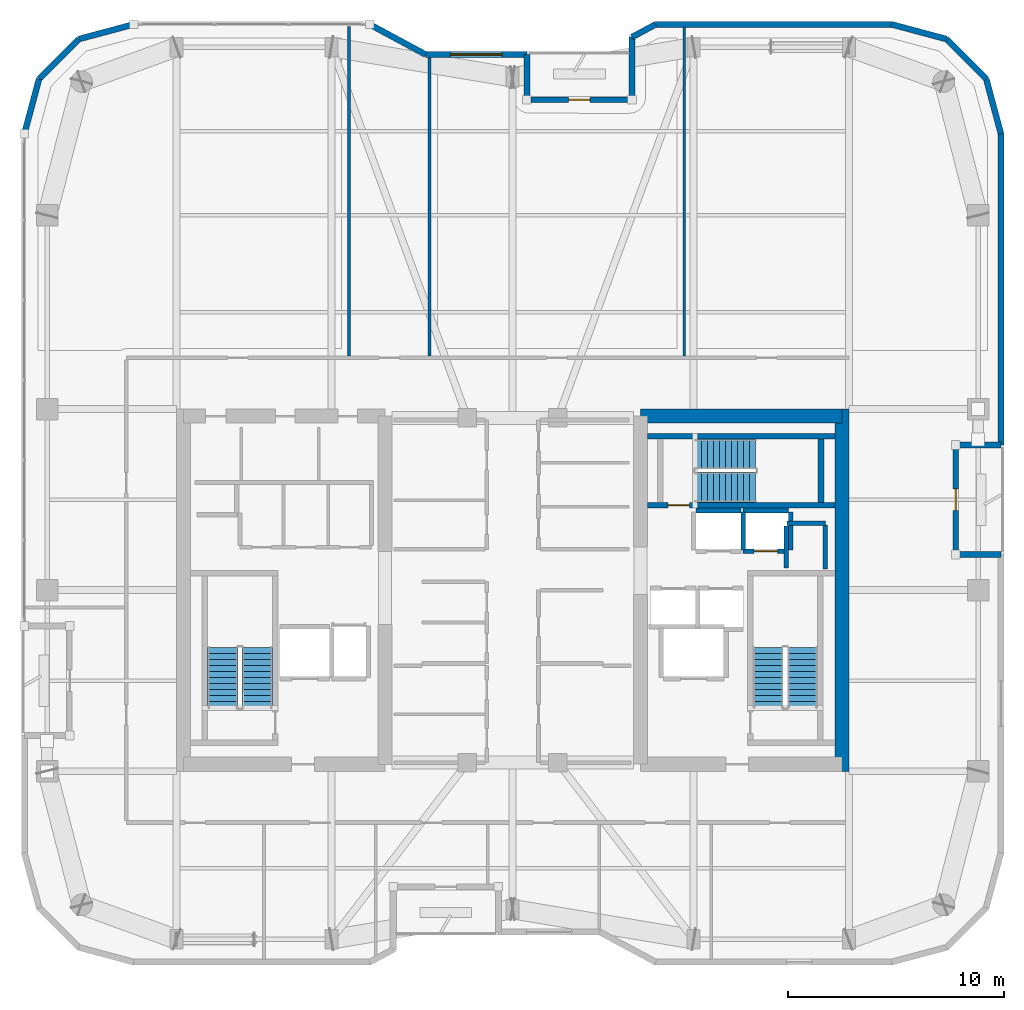
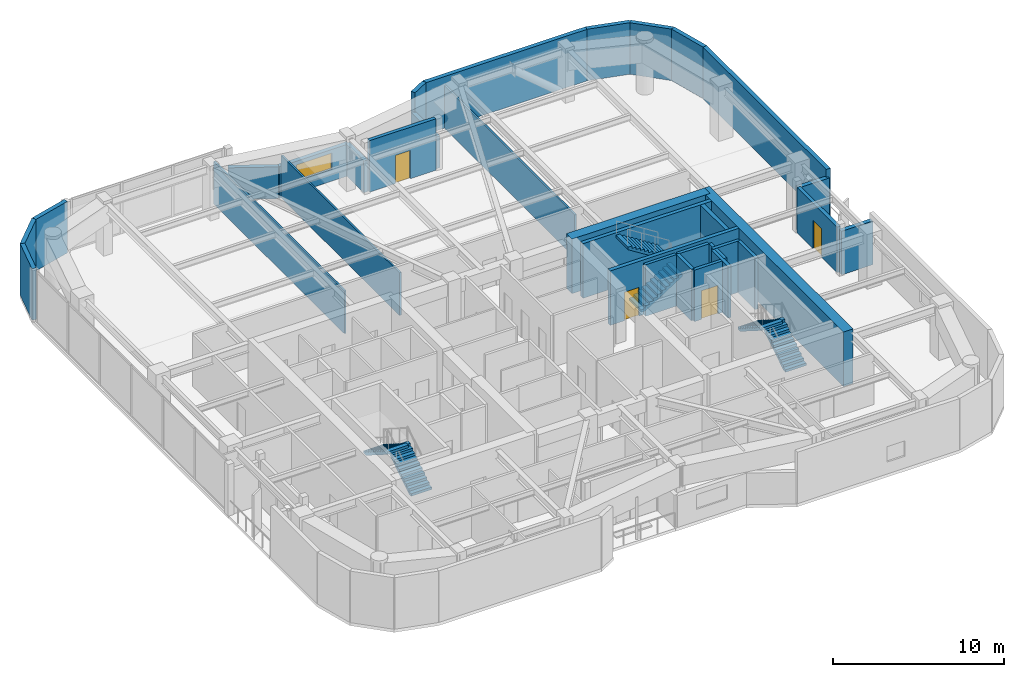
# One storey, part 18 of 21: 33 walls, 6 stair flights, 4 doors, 1 window, 5 openings, 3 elements without a shape of their own.
"""IFC4 building model written with IfcOpenShell, lengths in metres."""

from ifc_helpers import new_model, si_unit, direction, frame, frame_2d, origin, place, context, subcontext, project, spatial, polyline, rectangle, outline, extrude, material, layer, layer_set, type_object, element, fill, aggregate, save


model = new_model("IFC4")

# Units and contexts
model_context = context("Model", 3, precision=1e-05, world=origin(), true_north=direction((0.0, 1.0)))
body_context = subcontext(model_context, "Body", "Model", "MODEL_VIEW")
ifc_project = project(units=[si_unit("LENGTHUNIT", "METRE"), si_unit("AREAUNIT", "SQUARE_METRE"), si_unit("VOLUMEUNIT", "CUBIC_METRE"), si_unit("PLANEANGLEUNIT", "RADIAN"), si_unit("MASSUNIT", "GRAM", prefix="KILO")], contexts=[model_context])

# Site, building, storey
site_placement = place(None, origin())
site = spatial("IfcSite", under=ifc_project, at=site_placement, CompositionType="ELEMENT")
building_placement = place(site_placement, origin())
building = spatial("IfcBuilding", under=site, at=building_placement, Name="Kiyonajd Concourse Tower", CompositionType="ELEMENT")
storey_placement = place(building_placement, frame((0.0, 0.0, 247.199951171875)))
storey = spatial("IfcBuildingStorey", under=building, at=storey_placement, Name="L62", CompositionType="ELEMENT", Elevation=247.199951171875)

# Walls
ifc_material_1 = material(Name="Concrete C60/75", Category="concrete")
ifc_layer_1 = layer(ifc_material_1, 0.64990234375)
ifc_layer_set_1 = layer_set([ifc_layer_1], Name="Concrete C60/75")
wall_type_1 = type_object("IfcWallType", Name="WL-CORE-650", PredefinedType="SHEAR", material=ifc_layer_set_1)
wall_1_placement = place(storey_placement, frame((63.27490234375, 27.60009765625, 0.0), z_axis=(0.0, 0.0, 1.0), x_axis=(0.0, 1.0, 0.0)))
element("IfcWall", 1, at=wall_1_placement, inside=storey, type_object=wall_type_1, Name="L62 East Core Outer Shear Wall", PredefinedType="SHEAR", context=body_context, shape_type="SweptSolid", body=[
    extrude(rectangle(XDim=16.7998046875, YDim=0.64990234375, at=frame_2d((8.39990234375, 0.0))), origin(), (0.0, 0.0, 1.0), 3.900146484375),
])
wall_2_placement = place(storey_placement, frame((53.925048828125, 44.074951171875, 0.0), z_axis=(0.0, 0.0, 1.0), x_axis=(1.0, 0.0, 0.0)))
element("IfcWall", 2, at=wall_2_placement, inside=storey, type_object=wall_type_1, Name="L62 East Core North Shear Wall", PredefinedType="SHEAR", context=body_context, shape_type="SweptSolid", body=[
    extrude(rectangle(XDim=9.349853515625, YDim=0.64990234375, at=frame_2d((4.6748046875, 0.0))), origin(), (0.0, 0.0, 1.0), 3.900146484375),
])
ifc_material_2 = material(Name="Precast concrete C50/60", Category="concrete")
ifc_layer_2 = layer(ifc_material_2, 0.280029296875)
ifc_layer_set_2 = layer_set([ifc_layer_2], Name="Precast concrete C50/60")
wall_type_2 = type_object("IfcWallType", Name="WL-EXT-280", PredefinedType="SOLIDWALL", material=ifc_layer_set_2)
wall_3_placement = place(storey_placement, frame((25.340087890625, 57.181640625, 0.0), z_axis=(0.0, 0.0, 1.0), x_axis=(0.2588904131, 0.965906700466, 0.0)))
element("IfcWall", 3, at=wall_3_placement, inside=storey, type_object=wall_type_2, Name="L62 Exterior Concrete Frame Wall 06", PredefinedType="SOLIDWALL", context=body_context, shape_type="SweptSolid", body=[
    extrude(rectangle(XDim=2.6357421875, YDim=0.280029296875, at=frame_2d((1.31787109375, 0.0))), origin(), (0.0, 0.0, 1.0), 3.679931640625),
])
wall_4_placement = place(storey_placement, frame((26.0224609375, 59.7275390625, 0.0), z_axis=(0.0, 0.0, 1.0), x_axis=(0.707153437963, 0.707060121331, 0.0)))
element("IfcWall", 4, at=wall_4_placement, inside=storey, type_object=wall_type_2, Name="L62 Exterior Concrete Frame Wall 07", PredefinedType="SOLIDWALL", context=body_context, shape_type="SweptSolid", body=[
    extrude(rectangle(XDim=2.6162109375, YDim=0.280029296875, at=frame_2d((1.30810546875, 0.0))), origin(), (0.0, 0.0, 1.0), 3.679931640625),
])
wall_5_placement = place(storey_placement, frame((27.87255859375, 61.577392578125, 0.0), z_axis=(0.0, 0.0, 1.0), x_axis=(0.965883534663, 0.258976828051, 0.0)))
element("IfcWall", 5, at=wall_5_placement, inside=storey, type_object=wall_type_2, Name="L62 Exterior Concrete Frame Wall 08", PredefinedType="SOLIDWALL", context=body_context, shape_type="SweptSolid", body=[
    extrude(rectangle(XDim=2.6357421875, YDim=0.280029296875, at=frame_2d((1.31787109375, 0.0))), origin(), (0.0, 0.0, 1.0), 3.679931640625),
])
wall_6_placement = place(storey_placement, frame((41.36474609375, 62.260009765625, 0.0), z_axis=(0.0, 0.0, 1.0), x_axis=(0.880473754814, -0.474094892488, 0.0)))
element("IfcWall", 6, at=wall_6_placement, inside=storey, type_object=wall_type_2, Name="L62 Exterior Concrete Frame Wall 10", PredefinedType="SOLIDWALL", context=body_context, shape_type="SweptSolid", body=[
    extrude(rectangle(XDim=2.952880859375, YDim=0.280029296875, at=frame_2d((1.4765625, 0.0))), origin(), (0.0, 0.0, 1.0), 2.26513671875),
])

# Wall, opening, window
wall_7_placement = place(storey_placement, frame((43.964599609375, 60.860107421875, 0.0), z_axis=(0.0, 0.0, 1.0), x_axis=(1.0, 0.0, 0.0)))
wall_7 = element("IfcWall", 7, at=wall_7_placement, inside=storey, type_object=wall_type_2, Name="L62 Exterior Concrete Frame Wall 11", PredefinedType="SOLIDWALL", context=body_context, shape_type="SweptSolid", body=[
    extrude(rectangle(XDim=4.6953125, YDim=0.280029296875, at=frame_2d((2.34765625, 0.0))), origin(), (0.0, 0.0, 1.0), 2.26513671875),
])
opening_1_placement = place(wall_7_placement, frame((1.14794921875, 0.0, 0.85009765625)))
opening_1 = element("IfcOpeningElement", 8, at=opening_1_placement, cuts=wall_7, Name="Opening WN4", PredefinedType="OPENING", context=body_context, shape_type="SweptSolid", body=[
    extrude(rectangle(XDim=2.39990234375, YDim=1.14990234375, at=frame_2d((1.199951171875, 0.574951171875))), frame((0.0, 0.14990234375, 0.0), z_axis=(0.0, -1.0, 0.0), x_axis=(1.0, 0.0, 0.0)), (0.0, 0.0, 1.0), 0.300048828125),
])
ifc_material_3 = material(Name="Double Low-E Insulated Glass", Category="glass")
window_type = type_object("IfcWindowType", Name="WN-VIS-2400x1150", PartitioningType="SINGLE_PANEL", PredefinedType="WINDOW", material=ifc_material_3)
window_placement = place(opening_1_placement, origin())
window = element("IfcWindow", 9, at=window_placement, inside=storey, type_object=window_type, Name="L62 Modular Facade Vision Window 11", OverallHeight=1.14990234375, OverallWidth=2.39990234375, PartitioningType="SINGLE_PANEL", PredefinedType="WINDOW", context=body_context, shape_type="SweptSolid", body=[
    extrude(rectangle(XDim=2.39990234375, YDim=1.14990234375, at=frame_2d((1.199951171875, 0.574951171875))), frame((0.0, 0.030029296875, 0.0), z_axis=(0.0, -1.0, 0.0), x_axis=(1.0, 0.0, 0.0)), (0.0, 0.0, 1.0), 0.06005859375),
])
fill(opening_1, window)

# Walls
wall_8_placement = place(storey_placement, frame((48.659912109375, 60.860107421875, 0.0), z_axis=(0.0, 0.0, 1.0), x_axis=(0.0, -1.0, 0.0)))
element("IfcWall", 10, at=wall_8_placement, inside=storey, type_object=wall_type_2, Name="L62 Exterior Concrete Frame Wall 12", PredefinedType="SOLIDWALL", context=body_context, shape_type="SweptSolid", body=[
    extrude(rectangle(XDim=2.10009765625, YDim=0.280029296875, at=frame_2d((1.050048828125, 0.0))), origin(), (0.0, 0.0, 1.0), 2.26513671875),
])
wall_9_placement = place(storey_placement, frame((53.5400390625, 58.760009765625, 0.0), z_axis=(0.0, 0.0, 1.0), x_axis=(0.0, 1.0, 0.0)))
element("IfcWall", 11, at=wall_9_placement, inside=storey, type_object=wall_type_2, Name="L62 Exterior Concrete Frame Wall 14", PredefinedType="SOLIDWALL", context=body_context, shape_type="SweptSolid", body=[
    extrude(rectangle(XDim=2.910400390625, YDim=0.280029296875, at=frame_2d((1.455078125, 0.0))), origin(), (0.0, 0.0, 1.0), 2.26513671875),
])
wall_10_placement = place(storey_placement, frame((53.5400390625, 61.67041015625, 0.0), z_axis=(0.0, 0.0, 1.0), x_axis=(0.880515214249, 0.474017887296, 0.0)))
element("IfcWall", 12, at=wall_10_placement, inside=storey, type_object=wall_type_2, Name="L62 Exterior Concrete Frame Wall 15", PredefinedType="SOLIDWALL", context=body_context, shape_type="SweptSolid", body=[
    extrude(rectangle(XDim=1.243896484375, YDim=0.280029296875, at=frame_2d((0.6220703125, 0.0))), origin(), (0.0, 0.0, 1.0), 3.679931640625),
])
wall_11_placement = place(storey_placement, frame((54.63525390625, 62.260009765625, 0.0), z_axis=(0.0, 0.0, 1.0), x_axis=(1.0, 0.0, 0.0)))
element("IfcWall", 13, at=wall_11_placement, inside=storey, type_object=wall_type_2, Name="L62 Exterior Concrete Frame Wall 16", PredefinedType="SOLIDWALL", context=body_context, shape_type="SweptSolid", body=[
    extrude(rectangle(XDim=10.9462890625, YDim=0.280029296875, at=frame_2d((5.47314453125, 0.0))), origin(), (0.0, 0.0, 1.0), 3.679931640625),
])
wall_12_placement = place(storey_placement, frame((65.58154296875, 62.260009765625, 0.0), z_axis=(0.0, 0.0, 1.0), x_axis=(0.965883534663, -0.258976828051, 0.0)))
element("IfcWall", 14, at=wall_12_placement, inside=storey, type_object=wall_type_2, Name="L62 Exterior Concrete Frame Wall 17", PredefinedType="SOLIDWALL", context=body_context, shape_type="SweptSolid", body=[
    extrude(rectangle(XDim=2.6357421875, YDim=0.280029296875, at=frame_2d((1.31787109375, 0.0))), origin(), (0.0, 0.0, 1.0), 3.679931640625),
])
wall_13_placement = place(storey_placement, frame((68.12744140625, 61.577392578125, 0.0), z_axis=(0.0, 0.0, 1.0), x_axis=(0.707153437963, -0.707060121331, 0.0)))
element("IfcWall", 15, at=wall_13_placement, inside=storey, type_object=wall_type_2, Name="L62 Exterior Concrete Frame Wall 18", PredefinedType="SOLIDWALL", context=body_context, shape_type="SweptSolid", body=[
    extrude(rectangle(XDim=2.6162109375, YDim=0.280029296875, at=frame_2d((1.30810546875, 0.0))), origin(), (0.0, 0.0, 1.0), 3.679931640625),
])
wall_14_placement = place(storey_placement, frame((69.9775390625, 59.7275390625, 0.0), z_axis=(0.0, 0.0, 1.0), x_axis=(0.2588904131, -0.965906700466, 0.0)))
element("IfcWall", 16, at=wall_14_placement, inside=storey, type_object=wall_type_2, Name="L62 Exterior Concrete Frame Wall 19", PredefinedType="SOLIDWALL", context=body_context, shape_type="SweptSolid", body=[
    extrude(rectangle(XDim=2.6357421875, YDim=0.280029296875, at=frame_2d((1.31787109375, 0.0))), origin(), (0.0, 0.0, 1.0), 3.679931640625),
])
wall_15_placement = place(storey_placement, frame((70.659912109375, 57.181640625, 0.0), z_axis=(0.0, 0.0, 1.0), x_axis=(0.0, -1.0, 0.0)))
element("IfcWall", 17, at=wall_15_placement, inside=storey, type_object=wall_type_2, Name="L62 Exterior Concrete Frame Wall 20", PredefinedType="SOLIDWALL", context=body_context, shape_type="SweptSolid", body=[
    extrude(rectangle(XDim=14.441650390625, YDim=0.280029296875, at=frame_2d((7.220703125, 0.0))), origin(), (0.0, 0.0, 1.0), 3.679931640625),
])
for number, where, z_axis, x_axis, name in (
    (18, (70.659912109375, 42.739990234375, 0.0), (0.0, 0.0, 1.0), (-1.0, 0.0, 0.0), "L62 Exterior Concrete Frame Wall 21"),
    (19, (68.56005859375, 37.659912109375, 0.0), (0.0, 0.0, 1.0), (1.0, 0.0, 0.0), "L62 Exterior Concrete Frame Wall 23"),
):
    element("IfcWall", number, at=place(storey_placement, frame(where, z_axis=z_axis, x_axis=x_axis)), inside=storey, type_object=wall_type_2, Name=name, PredefinedType="SOLIDWALL", context=body_context, shape_type="SweptSolid", body=[
        extrude(rectangle(XDim=2.099853515625, YDim=0.280029296875, at=frame_2d((1.0498046875, 0.0))), origin(), (0.0, 0.0, 1.0), 3.115966796875),
    ])

# Wall, opening, door
ifc_layer_3 = layer(ifc_material_2, 0.239990234375)
ifc_layer_set_3 = layer_set([ifc_layer_3], Name="Precast concrete C50/60")
wall_type_3 = type_object("IfcWallType", Name="WL-LOG-240", PredefinedType="SOLIDWALL", material=ifc_layer_set_3)
wall_16_placement = place(storey_placement, frame((48.85498046875, 58.760009765625, 0.0), z_axis=(0.0, 0.0, 1.0), x_axis=(1.0, 0.0, 0.0)))
wall_16 = element("IfcWall", 20, at=wall_16_placement, inside=storey, type_object=wall_type_3, Name="L62 Recessed Loggia Thermal Wall LOG-N", PredefinedType="SOLIDWALL", context=body_context, shape_type="SweptSolid", body=[
    extrude(rectangle(XDim=4.489990234375, YDim=0.239990234375, at=frame_2d((2.2451171875, 0.0))), origin(), (0.0, 0.0, 1.0), 3.679931640625),
])
opening_2_placement = place(wall_16_placement, frame((1.7451171875, 0.0, 0.0)))
opening_2 = element("IfcOpeningElement", 21, at=opening_2_placement, cuts=wall_16, Name="Opening DL1", PredefinedType="OPENING", context=body_context, shape_type="SweptSolid", body=[
    extrude(rectangle(XDim=1.0, YDim=2.02001953125, at=frame_2d((0.5, 1.010009765625))), frame((0.0, 0.1298828125, 0.0), z_axis=(0.0, -1.0, 0.0), x_axis=(1.0, 0.0, 0.0)), (0.0, 0.0, 1.0), 0.260009765625),
])
ifc_material_4 = material(Name="Thermally Broken Anodised Aluminium", Category="aluminium")
door_type_1 = type_object("IfcDoorType", Name="DR-LOG-1000", OperationType="NOTDEFINED", PredefinedType="DOOR", material=ifc_material_4)
door_1_placement = place(opening_2_placement, origin())
door_1 = element("IfcDoor", 22, at=door_1_placement, inside=storey, type_object=door_type_1, Name="L62 Engawa Loggia Access Door LOG-N", OperationType="SINGLE_SWING_RIGHT", OverallHeight=2.02001953125, OverallWidth=1.0, PredefinedType="DOOR", context=body_context, shape_type="SweptSolid", body=[
    extrude(rectangle(XDim=1.0, YDim=2.02001953125, at=frame_2d((0.5, 1.010009765625))), frame((0.0, 0.02490234375, 0.0), z_axis=(0.0, -1.0, 0.0), x_axis=(1.0, 0.0, 0.0)), (0.0, 0.0, 1.0), 0.050048828125),
])
fill(opening_2, door_1)

wall_17_placement = place(storey_placement, frame((68.56005859375, 42.544921875, 0.0), z_axis=(0.0, 0.0, 1.0), x_axis=(0.0, -1.0, 0.0)))
wall_17 = element("IfcWall", 23, at=wall_17_placement, inside=storey, type_object=wall_type_3, Name="L62 Recessed Loggia Thermal Wall LOG-E", PredefinedType="SOLIDWALL", context=body_context, shape_type="SweptSolid", body=[
    extrude(rectangle(XDim=4.68994140625, YDim=0.239990234375, at=frame_2d((2.344970703125, 0.0))), origin(), (0.0, 0.0, 1.0), 3.248046875),
])
opening_3_placement = place(wall_17_placement, frame((1.844970703125, 0.0, 0.0)))
opening_3 = element("IfcOpeningElement", 24, at=opening_3_placement, cuts=wall_17, Name="Opening DL1", PredefinedType="OPENING", context=body_context, shape_type="SweptSolid", body=[
    extrude(rectangle(XDim=1.0, YDim=2.02001953125, at=frame_2d((0.5, 1.010009765625))), frame((0.0, 0.1298828125, 0.0), z_axis=(0.0, -1.0, 0.0), x_axis=(1.0, 0.0, 0.0)), (0.0, 0.0, 1.0), 0.260009765625),
])
door_2_placement = place(opening_3_placement, origin())
door_2 = element("IfcDoor", 25, at=door_2_placement, inside=storey, type_object=door_type_1, Name="L62 Engawa Loggia Access Door LOG-E", OperationType="SINGLE_SWING_LEFT", OverallHeight=2.02001953125, OverallWidth=1.0, PredefinedType="DOOR", context=body_context, shape_type="SweptSolid", body=[
    extrude(rectangle(XDim=1.0, YDim=2.02001953125, at=frame_2d((0.5, 1.010009765625))), frame((0.0, 0.02490234375, 0.0), z_axis=(0.0, -1.0, 0.0), x_axis=(1.0, 0.0, 0.0)), (0.0, 0.0, 1.0), 0.050048828125),
])
fill(opening_3, door_2)

# Walls
ifc_material_5 = material(Name="Gypsum Board on Cold-Formed Steel Stud", Category="steel")
ifc_layer_4 = layer(ifc_material_5, 0.125)
ifc_layer_set_4 = layer_set([ifc_layer_4], Name="Gypsum Board on Cold-Formed Steel Stud")
wall_type_4 = type_object("IfcWallType", Name="WL-PART-125", PredefinedType="PARTITIONING", material=ifc_layer_set_4)
wall_18_placement = place(storey_placement, frame((40.409912109375, 46.866943359375, 0.0), z_axis=(0.0, 0.0, 1.0), x_axis=(0.0, 1.0, 0.0)))
element("IfcWall", 26, at=wall_18_placement, inside=storey, type_object=wall_type_4, Name="L62 Interior Partition Wall", PredefinedType="PARTITIONING", context=body_context, shape_type="SweptSolid", body=[
    extrude(rectangle(XDim=15.298095703125, YDim=0.125, at=frame_2d((7.64892578125, 0.0))), origin(), (0.0, 0.0, 1.0), 3.04296875),
])
wall_19_placement = place(storey_placement, frame((44.139892578125, 46.866943359375, 0.0), z_axis=(0.0, 0.0, 1.0), x_axis=(0.0, 1.0, 0.0)))
element("IfcWall", 27, at=wall_19_placement, inside=storey, type_object=wall_type_4, Name="L62 Interior Partition Wall", PredefinedType="PARTITIONING", context=body_context, shape_type="SweptSolid", body=[
    extrude(rectangle(XDim=13.858154296875, YDim=0.125, at=frame_2d((6.92919921875, 0.0))), origin(), (0.0, 0.0, 1.0), 3.04296875),
])
wall_20_placement = place(storey_placement, frame((55.969970703125, 46.866943359375, 0.0), z_axis=(0.0, 0.0, 1.0), x_axis=(0.0, 1.0, 0.0)))
element("IfcWall", 28, at=wall_20_placement, inside=storey, type_object=wall_type_4, Name="L62 Interior Partition Wall", PredefinedType="PARTITIONING", context=body_context, shape_type="SweptSolid", body=[
    extrude(rectangle(XDim=15.258056640625, YDim=0.125, at=frame_2d((7.62890625, 0.0))), origin(), (0.0, 0.0, 1.0), 3.04296875),
])
ifc_layer_5 = layer(ifc_material_5, 0.2099609375)
ifc_layer_set_5 = layer_set([ifc_layer_5], Name="Gypsum Board on Cold-Formed Steel Stud")
wall_type_5 = type_object("IfcWallType", Name="WL-SHAFT-210", PredefinedType="PARTITIONING", material=ifc_layer_set_5)
wall_21_placement = place(storey_placement, frame((60.719970703125, 39.10009765625, 0.0), z_axis=(0.0, 0.0, 1.0), x_axis=(1.0, 0.0, 0.0)))
element("IfcWall", 29, at=wall_21_placement, inside=storey, type_object=wall_type_5, Name="L62 Shaft Enclosure Wall", PredefinedType="PARTITIONING", context=body_context, shape_type="SweptSolid", body=[
    extrude(rectangle(XDim=1.800048828125, YDim=0.2099609375, at=frame_2d((0.89990234375, 0.0))), origin(), (0.0, 0.0, 1.0), 3.679931640625),
])
wall_22_placement = place(storey_placement, frame((60.699951171875, 37.02001953125, 0.0), z_axis=(0.0, 0.0, 1.0), x_axis=(0.0, 1.0, 0.0)))
element("IfcWall", 30, at=wall_22_placement, inside=storey, type_object=wall_type_5, Name="L62 Shaft Enclosure Wall", PredefinedType="PARTITIONING", context=body_context, shape_type="SweptSolid", body=[
    extrude(rectangle(XDim=1.9599609375, YDim=0.2099609375, at=frame_2d((0.97998046875, 0.0))), origin(), (0.0, 0.0, 1.0), 3.679931640625),
])
wall_23_placement = place(storey_placement, frame((62.5, 36.97998046875, 0.0), z_axis=(0.0, 0.0, 1.0), x_axis=(0.0, 1.0, 0.0)))
element("IfcWall", 31, at=wall_23_placement, inside=storey, type_object=wall_type_5, Name="L62 Shaft Enclosure Wall", PredefinedType="PARTITIONING", context=body_context, shape_type="SweptSolid", body=[
    extrude(rectangle(XDim=2.0400390625, YDim=0.2099609375, at=frame_2d((1.02001953125, 0.0))), origin(), (0.0, 0.0, 1.0), 3.679931640625),
])
wall_24_placement = place(storey_placement, frame((56.5, 39.699951171875, 0.0), z_axis=(0.0, 0.0, 1.0), x_axis=(1.0, 0.0, 0.0)))
element("IfcWall", 32, at=wall_24_placement, inside=storey, type_object=wall_type_5, Name="L62 Shaft Enclosure Wall", PredefinedType="PARTITIONING", context=body_context, shape_type="SweptSolid", body=[
    extrude(rectangle(XDim=2.10009765625, YDim=0.2099609375, at=frame_2d((1.050048828125, 0.0))), origin(), (0.0, 0.0, 1.0), 3.679931640625),
])
wall_25_placement = place(storey_placement, frame((58.699951171875, 37.860107421875, 0.0), z_axis=(0.0, 0.0, 1.0), x_axis=(0.0, 1.0, 0.0)))
element("IfcWall", 33, at=wall_25_placement, inside=storey, type_object=wall_type_5, Name="L62 Shaft Enclosure Wall", PredefinedType="PARTITIONING", context=body_context, shape_type="SweptSolid", body=[
    extrude(rectangle(XDim=1.77978515625, YDim=0.2099609375, at=frame_2d((0.889892578125, 0.0))), origin(), (0.0, 0.0, 1.0), 3.679931640625),
])

# Wall, opening, door
wall_26_placement = place(storey_placement, frame((58.699951171875, 37.800048828125, 0.0), z_axis=(0.0, 0.0, 1.0), x_axis=(1.0, 0.0, 0.0)))
wall_26 = element("IfcWall", 34, at=wall_26_placement, inside=storey, type_object=wall_type_5, Name="L62 Shaft Enclosure Wall", PredefinedType="PARTITIONING", context=body_context, shape_type="SweptSolid", body=[
    extrude(rectangle(XDim=2.10009765625, YDim=0.2099609375, at=frame_2d((1.050048828125, 0.0))), origin(), (0.0, 0.0, 1.0), 3.679931640625),
])
opening_4_placement = place(wall_26_placement, frame((0.5, 0.0, 0.0)))
opening_4 = element("IfcOpeningElement", 35, at=opening_4_placement, cuts=wall_26, Name="Opening LD1", PredefinedType="OPENING", context=body_context, shape_type="SweptSolid", body=[
    extrude(rectangle(XDim=1.10009765625, YDim=2.0400390625, at=frame_2d((0.550048828125, 1.02001953125))), frame((0.0, 0.114990234375, 0.0), z_axis=(0.0, -1.0, 0.0), x_axis=(1.0, 0.0, 0.0)), (0.0, 0.0, 1.0), 0.22998046875),
])
ifc_material_6 = material(Name="Brushed Stainless Steel Cab Assembly", Category="steel")
door_type_2 = type_object("IfcDoorType", Name="DR-LD-1100", OperationType="DOUBLE_DOOR_SLIDING", PredefinedType="DOOR", material=ifc_material_6)
door_3_placement = place(opening_4_placement, origin())
door_3 = element("IfcDoor", 36, at=door_3_placement, inside=storey, type_object=door_type_2, Name="L62 Lift PL-H4 Sliding Landing Door", OperationType="DOUBLE_DOOR_SLIDING", OverallHeight=2.0400390625, OverallWidth=1.10009765625, PredefinedType="DOOR", context=body_context, shape_type="SweptSolid", body=[
    extrude(rectangle(XDim=1.10009765625, YDim=2.0400390625, at=frame_2d((0.550048828125, 1.02001953125))), frame((0.0, 0.02490234375, 0.0), z_axis=(0.0, -1.0, 0.0), x_axis=(1.0, 0.0, 0.0)), (0.0, 0.0, 1.0), 0.050048828125),
])
fill(opening_4, door_3)

# Walls
wall_27_placement = place(storey_placement, frame((58.699951171875, 39.699951171875, 0.0), z_axis=(0.0, 0.0, 1.0), x_axis=(1.0, 0.0, 0.0)))
element("IfcWall", 37, at=wall_27_placement, inside=storey, type_object=wall_type_5, Name="L62 Shaft Enclosure Wall", PredefinedType="PARTITIONING", context=body_context, shape_type="SweptSolid", body=[
    extrude(rectangle(XDim=2.10009765625, YDim=0.2099609375, at=frame_2d((1.050048828125, 0.0))), origin(), (0.0, 0.0, 1.0), 3.679931640625),
])
wall_28_placement = place(storey_placement, frame((60.89990234375, 37.860107421875, 0.0), z_axis=(0.0, 0.0, 1.0), x_axis=(0.0, 1.0, 0.0)))
element("IfcWall", 38, at=wall_28_placement, inside=storey, type_object=wall_type_5, Name="L62 Shaft Enclosure Wall", PredefinedType="PARTITIONING", context=body_context, shape_type="SweptSolid", body=[
    extrude(rectangle(XDim=1.77978515625, YDim=0.2099609375, at=frame_2d((0.889892578125, 0.0))), origin(), (0.0, 0.0, 1.0), 3.679931640625),
])

# Wall, opening, door
ifc_material_7 = material(Name="Concrete C50/60", Category="concrete")
ifc_layer_6 = layer(ifc_material_7, 0.260009765625)
ifc_layer_set_6 = layer_set([ifc_layer_6], Name="Concrete C50/60")
wall_type_6 = type_object("IfcWallType", Name="WL-STAIR-260", PredefinedType="SHEAR", material=ifc_layer_set_6)
wall_29_placement = place(storey_placement, frame((54.25, 39.949951171875, 0.0), z_axis=(0.0, 0.0, 1.0), x_axis=(1.0, 0.0, 0.0)))
wall_29 = element("IfcWall", 39, at=wall_29_placement, inside=storey, type_object=wall_type_6, Name="L62 Stair ST3 Structural South Wall", PredefinedType="SHEAR", context=body_context, shape_type="SweptSolid", body=[
    extrude(rectangle(XDim=8.699951171875, YDim=0.260009765625, at=frame_2d((4.35009765625, 0.0))), origin(), (0.0, 0.0, 1.0), 3.900146484375),
])
opening_5_placement = place(wall_29_placement, frame((0.949951171875, 0.0, 0.0)))
opening_5 = element("IfcOpeningElement", 40, at=opening_5_placement, cuts=wall_29, Name="Opening DF1", PredefinedType="OPENING", context=body_context, shape_type="SweptSolid", body=[
    extrude(rectangle(XDim=1.0, YDim=2.0400390625, at=frame_2d((0.5, 1.02001953125))), frame((0.0, 0.139892578125, 0.0), z_axis=(0.0, -1.0, 0.0), x_axis=(1.0, 0.0, 0.0)), (0.0, 0.0, 1.0), 0.280029296875),
])
door_type_3 = type_object("IfcDoorType", Name="DR-FD90-1000", OperationType="NOTDEFINED", PredefinedType="DOOR", material=ifc_material_6)
door_4_placement = place(opening_5_placement, origin())
door_4 = element("IfcDoor", 41, at=door_4_placement, inside=storey, type_object=door_type_3, Name="L62 Stair ST3 Enclosure Door", OperationType="SINGLE_SWING_LEFT", OverallHeight=2.0400390625, OverallWidth=1.0, PredefinedType="DOOR", context=body_context, shape_type="SweptSolid", body=[
    extrude(rectangle(XDim=1.0, YDim=2.0400390625, at=frame_2d((0.5, 1.02001953125))), frame((0.0, 0.02490234375, 0.0), z_axis=(0.0, -1.0, 0.0), x_axis=(1.0, 0.0, 0.0)), (0.0, 0.0, 1.0), 0.050048828125),
])
fill(opening_5, door_4)

# Walls
wall_30_placement = place(storey_placement, frame((54.25, 43.14990234375, 0.0), z_axis=(0.0, 0.0, 1.0), x_axis=(1.0, 0.0, 0.0)))
element("IfcWall", 42, at=wall_30_placement, inside=storey, type_object=wall_type_6, Name="L62 Stair ST3 Structural North Wall", PredefinedType="SHEAR", context=body_context, shape_type="SweptSolid", body=[
    extrude(rectangle(XDim=8.699951171875, YDim=0.260009765625, at=frame_2d((4.35009765625, 0.0))), origin(), (0.0, 0.0, 1.0), 3.900146484375),
])
wall_31_placement = place(storey_placement, frame((62.31005859375, 40.080078125, 0.0), z_axis=(0.0, 0.0, 1.0), x_axis=(0.0, 1.0, 0.0)))
element("IfcWall", 43, at=wall_31_placement, inside=storey, type_object=wall_type_6, Name="L62 Stair ST3 Structural East Wall", PredefinedType="SHEAR", context=body_context, shape_type="SweptSolid", body=[
    extrude(rectangle(XDim=2.93994140625, YDim=0.260009765625, at=frame_2d((1.469970703125, 0.0))), origin(), (0.0, 0.0, 1.0), 3.900146484375),
])

# Stair, stair flights
ifc_material_8 = material(Name="Concrete C40/50", Category="concrete")
stair_type = type_object("IfcStairType", Name="ST-DLG-22R", PredefinedType="HALF_TURN_STAIR", material=ifc_material_8)
stair_1_placement = place(storey_placement, origin())
stair_1 = element("IfcStair", 44, at=stair_1_placement, inside=storey, type_object=stair_type, Name="L62 Protected Exit Stair ST1", PredefinedType="HALF_TURN_STAIR")
stair_flight_type = type_object("IfcStairFlightType", Name="SF-STR-22R", PredefinedType="STRAIGHT", material=ifc_material_8)
stair_flight_1_placement = place(storey_placement, frame((36.14990234375, 30.550048828125, 0.0), z_axis=(0.0, 0.0, 1.0), x_axis=(0.0, 1.0, 0.0)))
stair_flight_1 = element("IfcStairFlight", 45, at=stair_flight_1_placement, type_object=stair_flight_type, Name="ST1 flight 1", NumberOfRisers=11, NumberOfTreads=10, PredefinedType="STRAIGHT", RiserHeight=0.177272727, TreadLength=0.28, context=body_context, shape_type="SweptSolid", body=[
    extrude(outline(polyline([(0.0, 0.0), (0.0, 0.17724609375), (0.280029296875, 0.17724609375), (0.280029296875, 0.3544921875), (0.56005859375, 0.3544921875), (0.56005859375, 0.53173828125), (0.840087890625, 0.53173828125), (0.840087890625, 0.708984375), (1.1201171875, 0.708984375), (1.1201171875, 0.886474609375), (1.39990234375, 0.886474609375), (1.39990234375, 1.063720703125), (1.679931640625, 1.063720703125), (1.679931640625, 1.240966796875), (1.9599609375, 1.240966796875), (1.9599609375, 1.418212890625), (2.239990234375, 1.418212890625), (2.239990234375, 1.595458984375), (2.52001953125, 1.595458984375), (2.52001953125, 1.772705078125), (2.800048828125, 1.772705078125), (2.800048828125, 1.949951171875), (2.800048828125, 1.59521484375), (0.2802734375, 0.0), (0.0, 0.0)])), frame((0.0, 0.699951171875, 0.0), z_axis=(0.0, -1.0, 0.0), x_axis=(1.0, 0.0, 0.0)), (0.0, 0.0, 1.0), 1.39990234375),
])
stair_flight_2_placement = place(storey_placement, frame((34.550048828125, 33.35009765625, 1.949951171875), z_axis=(0.0, 0.0, 1.0), x_axis=(0.0, -1.0, 0.0)))
stair_flight_2 = element("IfcStairFlight", 46, at=stair_flight_2_placement, type_object=stair_flight_type, Name="ST1 flight 2", NumberOfRisers=11, NumberOfTreads=10, PredefinedType="STRAIGHT", RiserHeight=0.177272727, TreadLength=0.28, context=body_context, shape_type="SweptSolid", body=[
    extrude(outline(polyline([(0.0, 0.0), (0.0, 0.17724609375), (0.280029296875, 0.17724609375), (0.280029296875, 0.3544921875), (0.56005859375, 0.3544921875), (0.56005859375, 0.53173828125), (0.840087890625, 0.53173828125), (0.840087890625, 0.708984375), (1.1201171875, 0.708984375), (1.1201171875, 0.886474609375), (1.39990234375, 0.886474609375), (1.39990234375, 1.063720703125), (1.679931640625, 1.063720703125), (1.679931640625, 1.240966796875), (1.9599609375, 1.240966796875), (1.9599609375, 1.418212890625), (2.239990234375, 1.418212890625), (2.239990234375, 1.595458984375), (2.52001953125, 1.595458984375), (2.52001953125, 1.772705078125), (2.800048828125, 1.772705078125), (2.800048828125, 1.949951171875), (2.800048828125, 1.59521484375), (0.2802734375, 0.0), (0.0, 0.0)])), frame((0.0, 0.699951171875, 0.0), z_axis=(0.0, -1.0, 0.0), x_axis=(1.0, 0.0, 0.0)), (0.0, 0.0, 1.0), 1.39990234375),
])
aggregate(stair_1, [stair_flight_1, stair_flight_2])

stair_2_placement = place(storey_placement, origin())
stair_2 = element("IfcStair", 47, at=stair_2_placement, inside=storey, type_object=stair_type, Name="L62 Protected Exit Stair ST2", PredefinedType="HALF_TURN_STAIR")
stair_flight_3_placement = place(storey_placement, frame((61.449951171875, 30.550048828125, 0.0), z_axis=(0.0, 0.0, 1.0), x_axis=(0.0, 1.0, 0.0)))
stair_flight_3 = element("IfcStairFlight", 48, at=stair_flight_3_placement, type_object=stair_flight_type, Name="ST2 flight 1", NumberOfRisers=11, NumberOfTreads=10, PredefinedType="STRAIGHT", RiserHeight=0.177272727, TreadLength=0.28, context=body_context, shape_type="SweptSolid", body=[
    extrude(outline(polyline([(0.0, 0.0), (0.0, 0.17724609375), (0.280029296875, 0.17724609375), (0.280029296875, 0.3544921875), (0.56005859375, 0.3544921875), (0.56005859375, 0.53173828125), (0.840087890625, 0.53173828125), (0.840087890625, 0.708984375), (1.1201171875, 0.708984375), (1.1201171875, 0.886474609375), (1.39990234375, 0.886474609375), (1.39990234375, 1.063720703125), (1.679931640625, 1.063720703125), (1.679931640625, 1.240966796875), (1.9599609375, 1.240966796875), (1.9599609375, 1.418212890625), (2.239990234375, 1.418212890625), (2.239990234375, 1.595458984375), (2.52001953125, 1.595458984375), (2.52001953125, 1.772705078125), (2.800048828125, 1.772705078125), (2.800048828125, 1.949951171875), (2.800048828125, 1.59521484375), (0.2802734375, 0.0), (0.0, 0.0)])), frame((0.0, 0.699951171875, 0.0), z_axis=(0.0, -1.0, 0.0), x_axis=(1.0, 0.0, 0.0)), (0.0, 0.0, 1.0), 1.39990234375),
])
stair_flight_4_placement = place(storey_placement, frame((59.85009765625, 33.35009765625, 1.949951171875), z_axis=(0.0, 0.0, 1.0), x_axis=(0.0, -1.0, 0.0)))
stair_flight_4 = element("IfcStairFlight", 49, at=stair_flight_4_placement, type_object=stair_flight_type, Name="ST2 flight 2", NumberOfRisers=11, NumberOfTreads=10, PredefinedType="STRAIGHT", RiserHeight=0.177272727, TreadLength=0.28, context=body_context, shape_type="SweptSolid", body=[
    extrude(outline(polyline([(0.0, 0.0), (0.0, 0.17724609375), (0.280029296875, 0.17724609375), (0.280029296875, 0.3544921875), (0.56005859375, 0.3544921875), (0.56005859375, 0.53173828125), (0.840087890625, 0.53173828125), (0.840087890625, 0.708984375), (1.1201171875, 0.708984375), (1.1201171875, 0.886474609375), (1.39990234375, 0.886474609375), (1.39990234375, 1.063720703125), (1.679931640625, 1.063720703125), (1.679931640625, 1.240966796875), (1.9599609375, 1.240966796875), (1.9599609375, 1.418212890625), (2.239990234375, 1.418212890625), (2.239990234375, 1.595458984375), (2.52001953125, 1.595458984375), (2.52001953125, 1.772705078125), (2.800048828125, 1.772705078125), (2.800048828125, 1.949951171875), (2.800048828125, 1.59521484375), (0.2802734375, 0.0), (0.0, 0.0)])), frame((0.0, 0.699951171875, 0.0), z_axis=(0.0, -1.0, 0.0), x_axis=(1.0, 0.0, 0.0)), (0.0, 0.0, 1.0), 1.39990234375),
])
aggregate(stair_2, [stair_flight_3, stair_flight_4])

stair_3_placement = place(storey_placement, origin())
stair_3 = element("IfcStair", 50, at=stair_3_placement, inside=storey, type_object=stair_type, Name="L62 Protected Exit Stair ST3", PredefinedType="HALF_TURN_STAIR")
stair_flight_5_placement = place(storey_placement, frame((56.47998046875, 40.780029296875, 0.0), z_axis=(0.0, 0.0, 1.0), x_axis=(1.0, 0.0, 0.0)))
stair_flight_5 = element("IfcStairFlight", 51, at=stair_flight_5_placement, type_object=stair_flight_type, Name="ST3 flight 1", NumberOfRisers=11, NumberOfTreads=10, PredefinedType="STRAIGHT", RiserHeight=0.177272727, TreadLength=0.28, context=body_context, shape_type="SweptSolid", body=[
    extrude(outline(polyline([(0.0, 0.0), (0.0, 0.17724609375), (0.280029296875, 0.17724609375), (0.280029296875, 0.3544921875), (0.56005859375, 0.3544921875), (0.56005859375, 0.53173828125), (0.840087890625, 0.53173828125), (0.840087890625, 0.708984375), (1.1201171875, 0.708984375), (1.1201171875, 0.886474609375), (1.39990234375, 0.886474609375), (1.39990234375, 1.063720703125), (1.679931640625, 1.063720703125), (1.679931640625, 1.240966796875), (1.9599609375, 1.240966796875), (1.9599609375, 1.418212890625), (2.239990234375, 1.418212890625), (2.239990234375, 1.595458984375), (2.52001953125, 1.595458984375), (2.52001953125, 1.772705078125), (2.800048828125, 1.772705078125), (2.800048828125, 1.949951171875), (2.800048828125, 1.59521484375), (0.2802734375, 0.0), (0.0, 0.0)])), frame((0.0, 0.699951171875, 0.0), z_axis=(0.0, -1.0, 0.0), x_axis=(1.0, 0.0, 0.0)), (0.0, 0.0, 1.0), 1.39990234375),
])
stair_flight_6_placement = place(storey_placement, frame((59.280029296875, 42.320068359375, 1.949951171875), z_axis=(0.0, 0.0, 1.0), x_axis=(-1.0, 0.0, 0.0)))
stair_flight_6 = element("IfcStairFlight", 52, at=stair_flight_6_placement, type_object=stair_flight_type, Name="ST3 flight 2", NumberOfRisers=11, NumberOfTreads=10, PredefinedType="STRAIGHT", RiserHeight=0.177272727, TreadLength=0.28, context=body_context, shape_type="SweptSolid", body=[
    extrude(outline(polyline([(0.0, 0.0), (0.0, 0.17724609375), (0.280029296875, 0.17724609375), (0.280029296875, 0.3544921875), (0.56005859375, 0.3544921875), (0.56005859375, 0.53173828125), (0.840087890625, 0.53173828125), (0.840087890625, 0.708984375), (1.1201171875, 0.708984375), (1.1201171875, 0.886474609375), (1.39990234375, 0.886474609375), (1.39990234375, 1.063720703125), (1.679931640625, 1.063720703125), (1.679931640625, 1.240966796875), (1.9599609375, 1.240966796875), (1.9599609375, 1.418212890625), (2.239990234375, 1.418212890625), (2.239990234375, 1.595458984375), (2.52001953125, 1.595458984375), (2.52001953125, 1.772705078125), (2.800048828125, 1.772705078125), (2.800048828125, 1.949951171875), (2.800048828125, 1.59521484375), (0.2802734375, 0.0), (0.0, 0.0)])), frame((0.0, 0.699951171875, 0.0), z_axis=(0.0, -1.0, 0.0), x_axis=(1.0, 0.0, 0.0)), (0.0, 0.0, 1.0), 1.39990234375),
])
aggregate(stair_3, [stair_flight_5, stair_flight_6])

save(model, "model.ifc")
